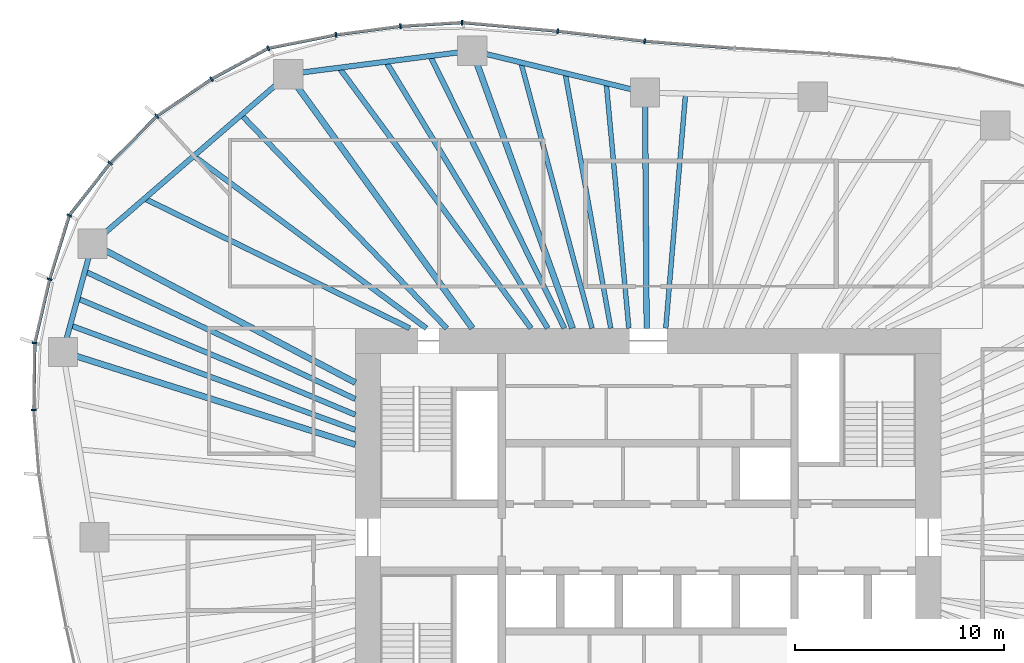
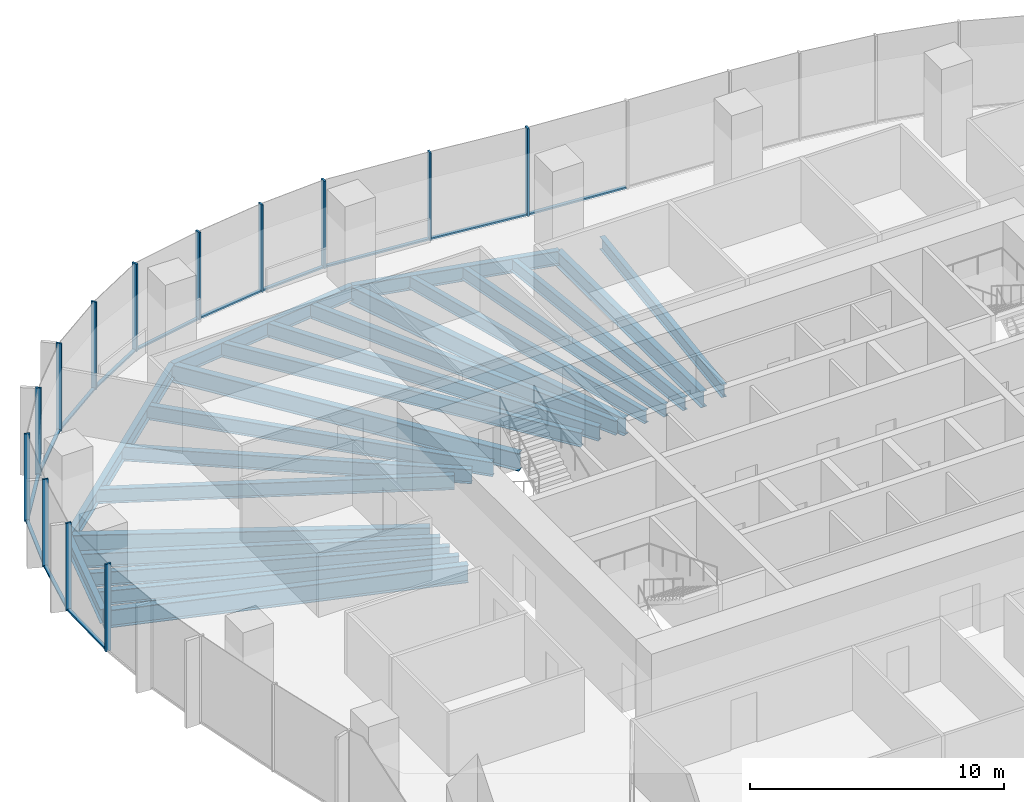
# One storey, part 5 of 18: 26 members, 22 beams, 6 elements without a shape of their own.
"""IFC4 building model written with IfcOpenShell, lengths in metres."""

import ifcopenshell
import ifcopenshell.guid

model = None  # the IFC model being written
_history = None  # IfcOwnerHistory: only IFC2X3 demands one
_inside = {}  # id of a spatial element -> (the spatial element, [elements in it])
_under = {}  # id of a project, library or spatial element -> (it, [spatial elements below it])
_declared = {}  # id of a project -> (the project, [libraries it declares])
_typed = {}  # id of a type object -> (the type object, [elements of that type])
_made_of = {}  # id of a material, layer set ... -> (it, [elements and type objects made of it])


def new_model(schema):
    """Start an empty IFC model of exactly this schema.

    Asked for "IFC4X3", IfcOpenShell would pick the latest addendum, in which some entities
    have other attributes; the version numbers below select the first issue.
    IFC2X3 requires an IfcOwnerHistory on every rooted entity: one is made here for all.
    """
    global model, _history
    if schema == "IFC4X3":
        model = ifcopenshell.file(schema_version=(4, 3, 0, 0))
    else:
        model = ifcopenshell.file(schema=schema)
    _inside.clear()
    _under.clear()
    _declared.clear()
    _typed.clear()
    _made_of.clear()
    _history = None
    if model.schema == "IFC2X3":
        org = make("IfcOrganization", Name="unknown")
        user = make(
            "IfcPersonAndOrganization",
            ThePerson=make("IfcPerson", FamilyName="unknown"),
            TheOrganization=org,
        )
        app = make(
            "IfcApplication",
            ApplicationDeveloper=org,
            Version="unknown",
            ApplicationFullName="unknown",
            ApplicationIdentifier="unknown",
        )
        _history = make(
            "IfcOwnerHistory",
            OwningUser=user,
            OwningApplication=app,
            ChangeAction="ADDED",
            CreationDate=0,
        )
    return model


def make(cls, **values):
    """One entity of the class cls with the attributes given. An attribute that is None is left unset."""
    return model.create_entity(
        cls, **{name: value for name, value in values.items() if value is not None}
    )


def rooted(cls, **values):
    """An entity with a GlobalId (a new one), such as an element, a storey or a relation."""
    return make(cls, GlobalId=ifcopenshell.guid.new(), OwnerHistory=_history, **values)


def si_unit(unit_type, name, prefix=None):
    """IfcSIUnit, for example si_unit("LENGTHUNIT", "METRE", prefix="MILLI")."""
    return make("IfcSIUnit", UnitType=unit_type, Prefix=prefix, Name=name)


def assignment(units):
    """IfcUnitAssignment: the units of a project."""
    return None if units is None else make("IfcUnitAssignment", Units=units)


def point(xyz):
    """IfcCartesianPoint."""
    return None if xyz is None else make("IfcCartesianPoint", Coordinates=xyz)


def direction(xyz):
    """IfcDirection."""
    return None if xyz is None else make("IfcDirection", DirectionRatios=xyz)


def frame(location, z_axis=None, x_axis=None):
    """IfcAxis2Placement3D, a coordinate frame: its origin and axes. An axis left out is left unset."""
    return make(
        "IfcAxis2Placement3D",
        Location=point(location),
        Axis=direction(z_axis),
        RefDirection=direction(x_axis),
    )


def frame_2d(location, x_axis=None):
    """IfcAxis2Placement2D, a coordinate frame in the plane: its origin and x axis."""
    return make(
        "IfcAxis2Placement2D", Location=point(location), RefDirection=direction(x_axis)
    )


def origin():
    """The frame at (0, 0, 0) with its axes left unset."""
    return frame((0.0, 0.0, 0.0))


def origin_2d():
    """The frame at (0, 0) in the plane with its x axis left unset."""
    return frame_2d((0.0, 0.0))


def place(relative_to, where):
    """IfcLocalPlacement: puts the frame where relative to a parent placement (None: the world)."""
    return make(
        "IfcLocalPlacement", PlacementRelTo=relative_to, RelativePlacement=where
    )


def context(
    kind, dimensions, precision=None, world=None, true_north=None, identifier=None
):
    """IfcGeometricRepresentationContext, for example the 3D "Model" context."""
    return make(
        "IfcGeometricRepresentationContext",
        ContextIdentifier=identifier,
        ContextType=kind,
        CoordinateSpaceDimension=dimensions,
        Precision=precision,
        WorldCoordinateSystem=world,
        TrueNorth=true_north,
    )


def subcontext(parent, identifier, kind, view, scale=None):
    """IfcGeometricRepresentationSubContext, for example "Body" below "Model"."""
    return make(
        "IfcGeometricRepresentationSubContext",
        ContextIdentifier=identifier,
        ContextType=kind,
        ParentContext=parent,
        TargetScale=scale,
        TargetView=view,
    )


def project(units=None, contexts=None):
    """IfcProject with its units and contexts."""
    return rooted(
        "IfcProject",
        Name="project",
        RepresentationContexts=contexts,
        UnitsInContext=assignment(units),
    )


def spatial(cls, under=None, at=None, **own):
    """A site, building, storey or space (cls), placed at a placement, below another one or the project."""
    s = rooted(cls, ObjectPlacement=at, **own)
    if under is not None:
        _under.setdefault(under.id(), (under, []))[1].append(s)
    return s


def profile(cls, at=None, kind="AREA", **sizes):
    """A parametric profile (cls). Its sizes go by their IFC names, for example OverallWidth=200.0."""
    return make(cls, ProfileType=kind, Position=at, **sizes)


def rectangle(**sizes):
    """IfcRectangleProfileDef."""
    return profile("IfcRectangleProfileDef", **sizes)


def i_section(**sizes):
    """IfcIShapeProfileDef."""
    return profile("IfcIShapeProfileDef", **sizes)


def extrude(swept, where, along, depth):
    """IfcExtrudedAreaSolid: the profile swept, set in the frame where, extruded along a direction by depth."""
    return make(
        "IfcExtrudedAreaSolid",
        SweptArea=swept,
        Position=where,
        ExtrudedDirection=direction(along),
        Depth=depth,
    )


def shape(context_of_items, identifier, shape_type, items):
    """IfcShapeRepresentation: the items that make up one representation, for example the "Body"."""
    return make(
        "IfcShapeRepresentation",
        ContextOfItems=context_of_items,
        RepresentationIdentifier=identifier,
        RepresentationType=shape_type,
        Items=items,
    )


def material(Name=None, Category=None):
    """IfcMaterial."""
    return make("IfcMaterial", Name=Name, Category=Category)


def material_profile(
    of_material, cross_section, Name=None, Category=None, Priority=None
):
    """IfcMaterialProfile: a cross section and its material."""
    return make(
        "IfcMaterialProfile",
        Name=Name,
        Material=of_material,
        Profile=cross_section,
        Priority=Priority,
        Category=Category,
    )


def profile_set(profiles, Name=None, composite=None):
    """IfcMaterialProfileSet."""
    return make(
        "IfcMaterialProfileSet",
        Name=Name,
        MaterialProfiles=profiles,
        CompositeProfile=composite,
    )


def made_of(thing, what):
    """Note that an element or type object is made of a material, layer set ...; save() writes the relation."""
    if what is not None:
        _made_of.setdefault(what.id(), (what, []))[1].append(thing)
    return thing


def type_object(cls, material=None, **own):
    """A type object (cls), such as IfcWallType, which elements share."""
    return made_of(rooted(cls, **own), material)


def element(
    cls,
    number,
    at=None,
    inside=None,
    cuts=None,
    type_object=None,
    material=None,
    context=None,
    identifier="Body",
    shape_type=None,
    held_by="IfcProductDefinitionShape",
    body=None,
    shapes=None,
    **own,
):
    """One element of the class cls, such as IfcWall. Its Tag is "e" and its number.

    at: its placement. inside: the storey or other place that contains it. cuts: it is an
    opening in that element (IfcRelVoidsElement). A single representation is given by context,
    identifier, shape_type and body (its items); several are given by shapes. held_by: the class
    of the entity that holds the representations. save() writes the other relations.
    """
    e = rooted(cls, Tag="e%d" % number, ObjectPlacement=at, **own)
    if body is not None:
        shapes = [shape(context, identifier, shape_type, body)]
    if shapes is not None:
        e.Representation = make(held_by, Representations=shapes)
    if inside is not None:
        _inside.setdefault(inside.id(), (inside, []))[1].append(e)
    if cuts is not None:
        rooted(
            "IfcRelVoidsElement", RelatingBuildingElement=cuts, RelatedOpeningElement=e
        )
    if type_object is not None:
        _typed.setdefault(type_object.id(), (type_object, []))[1].append(e)
    return made_of(e, material)


def aggregate(whole, parts):
    """IfcRelAggregates: a whole, such as a stair, and the parts it consists of."""
    return rooted("IfcRelAggregates", RelatingObject=whole, RelatedObjects=parts)


def save(model, path):
    """Write the relations noted so far, then the file.

    IfcRelAggregates (storeys below a building ...), IfcRelContainedInSpatialStructure (elements
    in a storey), IfcRelDefinesByType, IfcRelAssociatesMaterial and IfcRelDeclares: one each for
    every whole, place, type object, material and project.
    """
    for whole, parts in _under.values():
        aggregate(whole, parts)
    for where, things in _inside.values():
        rooted(
            "IfcRelContainedInSpatialStructure",
            RelatedElements=things,
            RelatingStructure=where,
        )
    for kind, things in _typed.values():
        rooted("IfcRelDefinesByType", RelatedObjects=things, RelatingType=kind)
    for what, things in _made_of.values():
        rooted("IfcRelAssociatesMaterial", RelatedObjects=things, RelatingMaterial=what)
    for by, libraries in _declared.values():
        rooted("IfcRelDeclares", RelatingContext=by, RelatedDefinitions=libraries)
    model.write(path)


model = new_model("IFC4")

# Units and contexts
model_context = context("Model", 3, precision=1e-05, world=origin(), true_north=direction((0.0, 1.0)))
body_context = subcontext(model_context, "Body", "Model", "MODEL_VIEW")
ifc_project = project(units=[si_unit("LENGTHUNIT", "METRE"), si_unit("AREAUNIT", "SQUARE_METRE"), si_unit("VOLUMEUNIT", "CUBIC_METRE"), si_unit("PLANEANGLEUNIT", "RADIAN"), si_unit("MASSUNIT", "GRAM", prefix="KILO")], contexts=[model_context])

# Site, building, storey
site_placement = place(None, origin())
site = spatial("IfcSite", under=ifc_project, at=site_placement, CompositionType="ELEMENT")
building_placement = place(site_placement, origin())
building = spatial("IfcBuilding", under=site, at=building_placement, Name="Ghaith Harvest Tower", CompositionType="ELEMENT")
storey_placement = place(building_placement, frame((0.0, 0.0, 163.800048828125)))
storey = spatial("IfcBuildingStorey", under=building, at=storey_placement, Name="L35", CompositionType="ELEMENT", Elevation=163.800048828125)

# Curtain wall, members
ifc_material_1 = material(Name="Black anodised aluminium and fritted glass", Category="aluminium")
curtain_wall_type = type_object("IfcCurtainWallType", Name="CW-L CURTAIN WALL", PredefinedType="NOTDEFINED", material=ifc_material_1)
curtain_wall_1_placement = place(storey_placement, origin())
curtain_wall_1 = element("IfcCurtainWall", 1, at=curtain_wall_1_placement, inside=storey, type_object=curtain_wall_type, Name="Curtain wall CW-L bay 06 L35", PredefinedType="NOTDEFINED")
ifc_material_2 = material(Name="Aluminium, black anodised", Category="aluminium")
ifc_material_profile_1 = material_profile(ifc_material_2, rectangle(XDim=0.080078125, YDim=0.239990234375, at=origin_2d()), Name="CW-L MULLION 80x240")
ifc_profile_set_1 = profile_set([ifc_material_profile_1], Name="Aluminium, black anodised")
member_type_1 = type_object("IfcMemberType", Name="CW-L MULLION 80x240", PredefinedType="MULLION", material=ifc_profile_set_1)
member_1_placement = place(storey_placement, frame((-0.162353515625, 23.729736328125, 0.0), z_axis=(0.0, 0.0, 1.0), x_axis=(-0.995388088953, 0.095929934691, 0.0)))
member_1 = element("IfcMember", 2, at=member_1_placement, type_object=member_type_1, Name="CW-L mullion 1 bay 06 L35", PredefinedType="MULLION", context=body_context, shape_type="SweptSolid", body=[
    extrude(rectangle(XDim=0.080078125, YDim=0.239990234375, at=origin_2d()), origin(), (0.0, 0.0, 1.0), 4.199951171875),
])
member_2_placement = place(storey_placement, frame((-4.322998046875, 24.207275390625, 0.0), z_axis=(0.0, 0.0, 1.0), x_axis=(-0.994830371571, 0.101550636625, 0.0)))
member_2 = element("IfcMember", 3, at=member_2_placement, type_object=member_type_1, Name="CW-L mullion 2 bay 06 L35", PredefinedType="MULLION", context=body_context, shape_type="SweptSolid", body=[
    extrude(rectangle(XDim=0.080078125, YDim=0.239990234375, at=origin_2d()), origin(), (0.0, 0.0, 1.0), 4.199951171875),
])

curtain_wall_2_placement = place(storey_placement, origin())
curtain_wall_2 = element("IfcCurtainWall", 4, at=curtain_wall_2_placement, inside=storey, type_object=curtain_wall_type, Name="Curtain wall CW-L bay 07 L35", PredefinedType="NOTDEFINED")
member_3_placement = place(storey_placement, frame((-8.892578125, 24.620849609375, 0.0), z_axis=(0.0, 0.0, 1.0), x_axis=(-0.999522209385, 0.030908784286, 0.0)))
member_3 = element("IfcMember", 5, at=member_3_placement, type_object=member_type_1, Name="CW-L mullion 1 bay 07 L35", PredefinedType="MULLION", context=body_context, shape_type="SweptSolid", body=[
    extrude(rectangle(XDim=0.080078125, YDim=0.239990234375, at=origin_2d()), origin(), (0.0, 0.0, 1.0), 4.199951171875),
])
member_4_placement = place(storey_placement, frame((-11.841064453125, 24.439697265625, 0.0), z_axis=(0.0, 0.0, 1.0), x_axis=(-0.995237520168, -0.097479630949, 0.0)))
member_4 = element("IfcMember", 6, at=member_4_placement, type_object=member_type_1, Name="CW-L mullion 2 bay 07 L35", PredefinedType="MULLION", context=body_context, shape_type="SweptSolid", body=[
    extrude(rectangle(XDim=0.080078125, YDim=0.239990234375, at=origin_2d()), origin(), (0.0, 0.0, 1.0), 4.199951171875),
])
member_5_placement = place(storey_placement, frame((-14.923828125, 24.030029296875, 0.0), z_axis=(0.0, 0.0, 1.0), x_axis=(-0.986494514812, -0.163794298578, 0.0)))
member_5 = element("IfcMember", 7, at=member_5_placement, type_object=member_type_1, Name="CW-L mullion 3 bay 07 L35", PredefinedType="MULLION", context=body_context, shape_type="SweptSolid", body=[
    extrude(rectangle(XDim=0.080078125, YDim=0.239990234375, at=origin_2d()), origin(), (0.0, 0.0, 1.0), 4.199951171875),
])

curtain_wall_3_placement = place(storey_placement, origin())
curtain_wall_3 = element("IfcCurtainWall", 8, at=curtain_wall_3_placement, inside=storey, type_object=curtain_wall_type, Name="Curtain wall CW-L bay 08 L35", PredefinedType="NOTDEFINED")
member_6_placement = place(storey_placement, frame((-18.165283203125, 23.3896484375, 0.0), z_axis=(0.0, 0.0, 1.0), x_axis=(-0.942103541202, -0.335322110298, 0.0)))
member_6 = element("IfcMember", 9, at=member_6_placement, type_object=member_type_1, Name="CW-L mullion 1 bay 08 L35", PredefinedType="MULLION", context=body_context, shape_type="SweptSolid", body=[
    extrude(rectangle(XDim=0.080078125, YDim=0.239990234375, at=origin_2d()), origin(), (0.0, 0.0, 1.0), 4.199951171875),
])
member_7_placement = place(storey_placement, frame((-20.87548828125, 21.91162109375, 0.0), z_axis=(0.0, 0.0, 1.0), x_axis=(-0.853515864435, -0.521066856707, 0.0)))
member_7 = element("IfcMember", 10, at=member_7_placement, type_object=member_type_1, Name="CW-L mullion 2 bay 08 L35", PredefinedType="MULLION", context=body_context, shape_type="SweptSolid", body=[
    extrude(rectangle(XDim=0.080078125, YDim=0.239990234375, at=origin_2d()), origin(), (0.0, 0.0, 1.0), 4.199951171875),
])
member_8_placement = place(storey_placement, frame((-23.489501953125, 20.13916015625, 0.0), z_axis=(0.0, 0.0, 1.0), x_axis=(-0.769682554376, -0.638426789451, 0.0)))
member_8 = element("IfcMember", 11, at=member_8_placement, type_object=member_type_1, Name="CW-L mullion 3 bay 08 L35", PredefinedType="MULLION", context=body_context, shape_type="SweptSolid", body=[
    extrude(rectangle(XDim=0.080078125, YDim=0.239990234375, at=origin_2d()), origin(), (0.0, 0.0, 1.0), 4.199951171875),
])

curtain_wall_4_placement = place(storey_placement, origin())
curtain_wall_4 = element("IfcCurtainWall", 12, at=curtain_wall_4_placement, inside=storey, type_object=curtain_wall_type, Name="Curtain wall CW-L bay 09 L35", PredefinedType="NOTDEFINED")
member_9_placement = place(storey_placement, frame((-25.718017578125, 17.894775390625, 0.0), z_axis=(0.0, 0.0, 1.0), x_axis=(-0.661903840688, -0.749588757708, 0.0)))
member_9 = element("IfcMember", 13, at=member_9_placement, type_object=member_type_1, Name="CW-L mullion 1 bay 09 L35", PredefinedType="MULLION", context=body_context, shape_type="SweptSolid", body=[
    extrude(rectangle(XDim=0.080078125, YDim=0.239990234375, at=origin_2d()), origin(), (0.0, 0.0, 1.0), 4.199951171875),
])
member_10_placement = place(storey_placement, frame((-27.67919921875, 15.39453125, 0.0), z_axis=(0.0, 0.0, 1.0), x_axis=(-0.462889784298, -0.886415843491, 0.0)))
member_10 = element("IfcMember", 14, at=member_10_placement, type_object=member_type_1, Name="CW-L mullion 2 bay 09 L35", PredefinedType="MULLION", context=body_context, shape_type="SweptSolid", body=[
    extrude(rectangle(XDim=0.080078125, YDim=0.239990234375, at=origin_2d()), origin(), (0.0, 0.0, 1.0), 4.199951171875),
])
member_11_placement = place(storey_placement, frame((-28.61669921875, 12.343994140625, 0.0), z_axis=(0.0, 0.0, 1.0), x_axis=(-0.260727312416, -0.965412486226, 0.0)))
member_11 = element("IfcMember", 15, at=member_11_placement, type_object=member_type_1, Name="CW-L mullion 3 bay 09 L35", PredefinedType="MULLION", context=body_context, shape_type="SweptSolid", body=[
    extrude(rectangle(XDim=0.080078125, YDim=0.239990234375, at=origin_2d()), origin(), (0.0, 0.0, 1.0), 4.199951171875),
])

curtain_wall_5_placement = place(storey_placement, origin())
curtain_wall_5 = element("IfcCurtainWall", 16, at=curtain_wall_5_placement, inside=storey, type_object=curtain_wall_type, Name="Curtain wall CW-L bay 10 L35", PredefinedType="NOTDEFINED")
member_12_placement = place(storey_placement, frame((-29.32666015625, 9.294189453125, 0.0), z_axis=(0.0, 0.0, 1.0), x_axis=(-0.120932140225, -0.99266077663, 0.0)))
member_12 = element("IfcMember", 17, at=member_12_placement, type_object=member_type_1, Name="CW-L mullion 1 bay 10 L35", PredefinedType="MULLION", context=body_context, shape_type="SweptSolid", body=[
    extrude(rectangle(XDim=0.080078125, YDim=0.239990234375, at=origin_2d()), origin(), (0.0, 0.0, 1.0), 4.199951171875),
])
member_13_placement = place(storey_placement, frame((-29.3779296875, 6.09619140625, 0.0), z_axis=(0.0, 0.0, 1.0), x_axis=(0.031027769448, -0.999518522851, 0.0)))
member_13 = element("IfcMember", 18, at=member_13_placement, type_object=member_type_1, Name="CW-L mullion 2 bay 10 L35", PredefinedType="MULLION", context=body_context, shape_type="SweptSolid", body=[
    extrude(rectangle(XDim=0.080078125, YDim=0.239990234375, at=origin_2d()), origin(), (0.0, 0.0, 1.0), 4.199951171875),
])

# Curtain wall, member
curtain_wall_6_placement = place(storey_placement, origin())
curtain_wall_6 = element("IfcCurtainWall", 19, at=curtain_wall_6_placement, inside=storey, type_object=curtain_wall_type, Name="Curtain wall CW-L bay 05 L35", PredefinedType="NOTDEFINED")
ifc_material_3 = material(Name="Aluminium, black anodised", Category="aluminium")
ifc_material_profile_2 = material_profile(ifc_material_3, rectangle(XDim=0.14990234375, YDim=0.080078125, at=origin_2d()), Name="CW-L TRANSOM 150x80")
ifc_profile_set_2 = profile_set([ifc_material_profile_2], Name="Aluminium, black anodised")
member_type_2 = type_object("IfcMemberType", Name="CW-L TRANSOM 150x80", PredefinedType="USERDEFINED", material=ifc_profile_set_2)
member_14_placement = place(storey_placement, frame((4.106689453125, 23.39404296875, 0.0400390625), z_axis=(-0.996923406046, 0.078381901463, 0.0), x_axis=(-0.078381901463, -0.996923406046, 0.0)))
member_14 = element("IfcMember", 20, at=member_14_placement, type_object=member_type_2, Name="CW-L transom 2 bay 05 L35", ObjectType="TRANSOM", PredefinedType="USERDEFINED", context=body_context, shape_type="SweptSolid", body=[
    extrude(rectangle(XDim=0.14990234375, YDim=0.080078125, at=origin_2d()), origin(), (0.0, 0.0, 1.0), 4.2421875),
])
aggregate(curtain_wall_6, [member_14])

# Member
member_15_placement = place(storey_placement, frame((-0.2021484375, 23.734130859375, 0.0400390625), z_axis=(-0.993474883942, 0.114051106861, 0.0), x_axis=(-0.114051106861, -0.993474883942, 0.0)))
member_15 = element("IfcMember", 21, at=member_15_placement, type_object=member_type_2, Name="CW-L transom 1 bay 06 L35", ObjectType="TRANSOM", PredefinedType="USERDEFINED", context=body_context, shape_type="SweptSolid", body=[
    extrude(rectangle(XDim=0.14990234375, YDim=0.080078125, at=origin_2d()), origin(), (0.0, 0.0, 1.0), 4.10791015625),
])

member_16_placement = place(storey_placement, frame((-4.36279296875, 24.210693359375, 0.0400390625), z_axis=(-0.995926431676, 0.090169521954, 0.0), x_axis=(-0.090169521954, -0.995926431676, 0.0)))
member_16 = element("IfcMember", 22, at=member_16_placement, type_object=member_type_2, Name="CW-L transom 2 bay 06 L35", ObjectType="TRANSOM", PredefinedType="USERDEFINED", context=body_context, shape_type="SweptSolid", body=[
    extrude(rectangle(XDim=0.14990234375, YDim=0.080078125, at=origin_2d()), origin(), (0.0, 0.0, 1.0), 4.508056640625),
])

aggregate(curtain_wall_1, [member_1, member_15, member_2, member_16])

member_17_placement = place(storey_placement, frame((-8.932373046875, 24.618408203125, 0.0400390625), z_axis=(-0.998117793577, -0.061325933705, 0.0), x_axis=(0.061325933705, -0.998117793577, 0.0)))
member_17 = element("IfcMember", 23, at=member_17_placement, type_object=member_type_2, Name="CW-L transom 1 bay 07 L35", ObjectType="TRANSOM", PredefinedType="USERDEFINED", context=body_context, shape_type="SweptSolid", body=[
    extrude(rectangle(XDim=0.14990234375, YDim=0.080078125, at=origin_2d()), origin(), (0.0, 0.0, 1.0), 2.874267578125),
])

member_18_placement = place(storey_placement, frame((-11.880859375, 24.434326171875, 0.0400390625), z_axis=(-0.991293929443, -0.131667556553, 0.0), x_axis=(0.131667556553, -0.991293929443, 0.0)))
member_18 = element("IfcMember", 24, at=member_18_placement, type_object=member_type_2, Name="CW-L transom 2 bay 07 L35", ObjectType="TRANSOM", PredefinedType="USERDEFINED", context=body_context, shape_type="SweptSolid", body=[
    extrude(rectangle(XDim=0.14990234375, YDim=0.080078125, at=origin_2d()), origin(), (0.0, 0.0, 1.0), 3.02978515625),
])

member_19_placement = place(storey_placement, frame((-14.963134765625, 24.022216796875, 0.0400390625), z_axis=(-0.98104391994, -0.19378551842, 0.0), x_axis=(0.19378551842, -0.98104391994, 0.0)))
member_19 = element("IfcMember", 25, at=member_19_placement, type_object=member_type_2, Name="CW-L transom 3 bay 07 L35", ObjectType="TRANSOM", PredefinedType="USERDEFINED", context=body_context, shape_type="SweptSolid", body=[
    extrude(rectangle(XDim=0.14990234375, YDim=0.080078125, at=origin_2d()), origin(), (0.0, 0.0, 1.0), 3.223876953125),
])

aggregate(curtain_wall_2, [member_3, member_17, member_4, member_18, member_5, member_19])

member_20_placement = place(storey_placement, frame((-18.200439453125, 23.37060546875, 0.0400390625), z_axis=(-0.877929702377, -0.478789554695, 0.0), x_axis=(0.478789554695, -0.877929702377, 0.0)))
member_20 = element("IfcMember", 26, at=member_20_placement, type_object=member_type_2, Name="CW-L transom 1 bay 08 L35", ObjectType="TRANSOM", PredefinedType="USERDEFINED", context=body_context, shape_type="SweptSolid", body=[
    extrude(rectangle(XDim=0.14990234375, YDim=0.080078125, at=origin_2d()), origin(), (0.0, 0.0, 1.0), 3.0068359375),
])

member_21_placement = place(storey_placement, frame((-20.908447265625, 21.88916015625, 0.0400390625), z_axis=(-0.827681025079, -0.561198824593, 0.0), x_axis=(0.561198824593, -0.827681025079, 0.0)))
member_21 = element("IfcMember", 27, at=member_21_placement, type_object=member_type_2, Name="CW-L transom 2 bay 08 L35", ObjectType="TRANSOM", PredefinedType="USERDEFINED", context=body_context, shape_type="SweptSolid", body=[
    extrude(rectangle(XDim=0.14990234375, YDim=0.080078125, at=origin_2d()), origin(), (0.0, 0.0, 1.0), 3.078369140625),
])

member_22_placement = place(storey_placement, frame((-23.517578125, 20.11083984375, 0.0400390625), z_axis=(-0.704647577514, -0.709557461735, 0.0), x_axis=(0.709557461735, -0.704647577514, 0.0)))
member_22 = element("IfcMember", 28, at=member_22_placement, type_object=member_type_2, Name="CW-L transom 3 bay 08 L35", ObjectType="TRANSOM", PredefinedType="USERDEFINED", context=body_context, shape_type="SweptSolid", body=[
    extrude(rectangle(XDim=0.14990234375, YDim=0.080078125, at=origin_2d()), origin(), (0.0, 0.0, 1.0), 3.0830078125),
])

aggregate(curtain_wall_3, [member_6, member_20, member_7, member_21, member_8, member_22])

member_23_placement = place(storey_placement, frame((-25.74267578125, 17.86328125, 0.0400390625), z_axis=(-0.617198298797, -0.786807638474, 0.0), x_axis=(0.786807638474, -0.617198298797, 0.0)))
member_23 = element("IfcMember", 29, at=member_23_placement, type_object=member_type_2, Name="CW-L transom 1 bay 09 L35", ObjectType="TRANSOM", PredefinedType="USERDEFINED", context=body_context, shape_type="SweptSolid", body=[
    extrude(rectangle(XDim=0.14990234375, YDim=0.080078125, at=origin_2d()), origin(), (0.0, 0.0, 1.0), 3.09765625),
])

member_24_placement = place(storey_placement, frame((-27.69091796875, 15.356201171875, 0.0400390625), z_axis=(-0.293777058804, -0.955873966441, 0.0), x_axis=(0.955873966441, -0.293777058804, 0.0)))
member_24 = element("IfcMember", 30, at=member_24_placement, type_object=member_type_2, Name="CW-L transom 2 bay 09 L35", ObjectType="TRANSOM", PredefinedType="USERDEFINED", context=body_context, shape_type="SweptSolid", body=[
    extrude(rectangle(XDim=0.14990234375, YDim=0.080078125, at=origin_2d()), origin(), (0.0, 0.0, 1.0), 3.111328125),
])

member_25_placement = place(storey_placement, frame((-28.6259765625, 12.304931640625, 0.0400390625), z_axis=(-0.226670598607, -0.973971477882, 0.0), x_axis=(0.973971477882, -0.226670598607, 0.0)))
member_25 = element("IfcMember", 31, at=member_25_placement, type_object=member_type_2, Name="CW-L transom 3 bay 09 L35", ObjectType="TRANSOM", PredefinedType="USERDEFINED", context=body_context, shape_type="SweptSolid", body=[
    extrude(rectangle(XDim=0.14990234375, YDim=0.080078125, at=origin_2d()), origin(), (0.0, 0.0, 1.0), 3.05126953125),
])

aggregate(curtain_wall_4, [member_9, member_23, member_10, member_24, member_11, member_25])

member_26_placement = place(storey_placement, frame((-29.327392578125, 9.254150390625, 0.0400390625), z_axis=(-0.015971652868, -0.999872445017, 0.0), x_axis=(0.999872445017, -0.015971652868, 0.0)))
member_26 = element("IfcMember", 32, at=member_26_placement, type_object=member_type_2, Name="CW-L transom 1 bay 10 L35", ObjectType="TRANSOM", PredefinedType="USERDEFINED", context=body_context, shape_type="SweptSolid", body=[
    extrude(rectangle(XDim=0.14990234375, YDim=0.080078125, at=origin_2d()), origin(), (0.0, 0.0, 1.0), 3.118408203125),
])

aggregate(curtain_wall_5, [member_12, member_26, member_13])

# Beams
ifc_material_4 = material(Name="Steel ASTM A992 Grade 50", Category="steel")
ifc_material_profile_3 = material_profile(ifc_material_4, i_section(OverallWidth=0.25390625, OverallDepth=0.68408203125, WebThickness=0.012451171875, FlangeThickness=0.018798828125, at=origin_2d()), Name="W690X140")
ifc_profile_set_3 = profile_set([ifc_material_profile_3], Name="Steel ASTM A992 Grade 50")
beam_type_1 = type_object("IfcBeamType", Name="E690-140 W690X140", PredefinedType="SPANDREL", material=ifc_profile_set_3)
beam_1_placement = place(storey_placement, frame((-0.14599609375, 21.27099609375, -0.511962890625), z_axis=(-0.971790293477, 0.235846614358, 0.0), x_axis=(-0.235846614358, -0.971790293477, 0.0)))
element("IfcBeam", 33, at=beam_1_placement, inside=storey, type_object=beam_type_1, Name="Edge beam E06 L35", PredefinedType="SPANDREL", context=body_context, shape_type="SweptSolid", body=[
    extrude(i_section(OverallWidth=0.25390625, OverallDepth=0.68408203125, WebThickness=0.012451171875, FlangeThickness=0.018798828125, at=origin_2d()), origin(), (0.0, 0.0, 1.0), 8.500732421875),
])
beam_2_placement = place(storey_placement, frame((-8.406982421875, 23.27587890625, -0.511962890625), z_axis=(-0.991904090065, -0.126989275577, 0.0), x_axis=(0.126989275577, -0.991904090065, 0.0)))
element("IfcBeam", 34, at=beam_2_placement, inside=storey, type_object=beam_type_1, Name="Edge beam E07 L35", PredefinedType="SPANDREL", context=body_context, shape_type="SweptSolid", body=[
    extrude(i_section(OverallWidth=0.25390625, OverallDepth=0.68408203125, WebThickness=0.012451171875, FlangeThickness=0.018798828125, at=origin_2d()), origin(), (0.0, 0.0, 1.0), 8.86669921875),
])
beam_3_placement = place(storey_placement, frame((-17.201904296875, 22.14990234375, -0.511962890625), z_axis=(-0.756392158274, -0.654118416574, 0.0), x_axis=(0.654118416574, -0.756392158274, 0.0)))
element("IfcBeam", 35, at=beam_3_placement, inside=storey, type_object=beam_type_1, Name="Edge beam E08 L35", PredefinedType="SPANDREL", context=body_context, shape_type="SweptSolid", body=[
    extrude(i_section(OverallWidth=0.25390625, OverallDepth=0.68408203125, WebThickness=0.012451171875, FlangeThickness=0.018798828125, at=origin_2d()), origin(), (0.0, 0.0, 1.0), 12.38916015625),
])
beam_4_placement = place(storey_placement, frame((-26.572998046875, 14.0458984375, -0.511962890625), z_axis=(-0.262724740433, -0.964870825947, 0.0), x_axis=(0.964870825947, -0.262724740433, 0.0)))
element("IfcBeam", 36, at=beam_4_placement, inside=storey, type_object=beam_type_1, Name="Edge beam E09 L35", PredefinedType="SPANDREL", context=body_context, shape_type="SweptSolid", body=[
    extrude(i_section(OverallWidth=0.25390625, OverallDepth=0.68408203125, WebThickness=0.012451171875, FlangeThickness=0.018798828125, at=origin_2d()), origin(), (0.0, 0.0, 1.0), 5.366455078125),
])
ifc_material_5 = material(Name="Steel ASTM A992 Grade 50", Category="steel")
ifc_material_profile_4 = material_profile(ifc_material_5, i_section(OverallWidth=0.26806640625, OverallDepth=0.77001953125, WebThickness=0.015625, FlangeThickness=0.025390625, at=origin_2d()), Name="W760X196")
ifc_profile_set_4 = profile_set([ifc_material_profile_4], Name="Steel ASTM A992 Grade 50")
beam_type_2 = type_object("IfcBeamType", Name="G760-196 W760X196", PredefinedType="BEAM", material=ifc_profile_set_4)
beam_5_placement = place(storey_placement, frame((-0.068359375, 10.0, -0.554931640625), z_axis=(-0.006888022705, 0.99997627729, 0.0), x_axis=(-0.99997627729, -0.006888022705, 0.0)))
element("IfcBeam", 37, at=beam_5_placement, inside=storey, type_object=beam_type_2, Name="Radial girder G06 L35", PredefinedType="BEAM", context=body_context, shape_type="SweptSolid", body=[
    extrude(i_section(OverallWidth=0.26806640625, OverallDepth=0.77001953125, WebThickness=0.015625, FlangeThickness=0.025390625, at=origin_2d()), origin(), (0.0, 0.0, 1.0), 11.271240234375),
])
ifc_material_6 = material(Name="Steel ASTM A992 Grade 50", Category="steel")
ifc_material_profile_5 = material_profile(ifc_material_6, i_section(OverallWidth=0.2939453125, OverallDepth=0.85107421875, WebThickness=0.01611328125, FlangeThickness=0.02685546875, at=origin_2d()), Name="W840X226")
ifc_profile_set_5 = profile_set([ifc_material_profile_5], Name="Steel ASTM A992 Grade 50")
beam_type_3 = type_object("IfcBeamType", Name="G840-226 W840X226", PredefinedType="BEAM", material=ifc_profile_set_5)
beam_6_placement = place(storey_placement, frame((-3.61181640625, 10.0, -0.595458984375), z_axis=(-0.339713316819, 0.940529033245, 0.0), x_axis=(-0.940529033245, -0.339713316819, 0.0)))
element("IfcBeam", 38, at=beam_6_placement, inside=storey, type_object=beam_type_3, Name="Radial girder G07 L35", PredefinedType="BEAM", context=body_context, shape_type="SweptSolid", body=[
    extrude(i_section(OverallWidth=0.2939453125, OverallDepth=0.85107421875, WebThickness=0.01611328125, FlangeThickness=0.02685546875, at=origin_2d()), origin(), (0.0, 0.0, 1.0), 14.115234375),
])
beam_7_placement = place(storey_placement, frame((-8.39990234375, 10.0, -0.595458984375), z_axis=(-0.586675813287, 0.809821887889, 0.0), x_axis=(-0.809821887889, -0.586675813287, 0.0)))
element("IfcBeam", 39, at=beam_7_placement, inside=storey, type_object=beam_type_3, Name="Radial girder G08 L35", PredefinedType="BEAM", context=body_context, shape_type="SweptSolid", body=[
    extrude(i_section(OverallWidth=0.2939453125, OverallDepth=0.85107421875, WebThickness=0.01611328125, FlangeThickness=0.02685546875, at=origin_2d()), origin(), (0.0, 0.0, 1.0), 15.003173828125),
])
beam_8_placement = place(storey_placement, frame((-14.0, 7.39990234375, -0.595458984375), z_axis=(-0.88408713845, 0.467322085533, 0.0), x_axis=(-0.467322085533, -0.88408713845, 0.0)))
element("IfcBeam", 40, at=beam_8_placement, inside=storey, type_object=beam_type_3, Name="Radial girder G09 L35", PredefinedType="BEAM", context=body_context, shape_type="SweptSolid", body=[
    extrude(i_section(OverallWidth=0.2939453125, OverallDepth=0.85107421875, WebThickness=0.01611328125, FlangeThickness=0.02685546875, at=origin_2d()), origin(), (0.0, 0.0, 1.0), 14.221435546875),
])
beam_9_placement = place(storey_placement, frame((-14.0, 4.43701171875, -0.595458984375), z_axis=(-0.953283605796, 0.302076756671, 0.0), x_axis=(-0.302076756671, -0.953283605796, 0.0)))
element("IfcBeam", 41, at=beam_9_placement, inside=storey, type_object=beam_type_3, Name="Radial girder G10 L35", PredefinedType="BEAM", context=body_context, shape_type="SweptSolid", body=[
    extrude(i_section(OverallWidth=0.2939453125, OverallDepth=0.85107421875, WebThickness=0.01611328125, FlangeThickness=0.02685546875, at=origin_2d()), origin(), (0.0, 0.0, 1.0), 14.668212890625),
])
ifc_material_7 = material(Name="Steel ASTM A992 Grade 50", Category="steel")
ifc_material_profile_6 = material_profile(ifc_material_7, i_section(OverallWidth=0.22900390625, OverallDepth=0.612060546875, WebThickness=0.011962890625, FlangeThickness=0.01953125, at=origin_2d()), Name="W610X125")
ifc_profile_set_6 = profile_set([ifc_material_profile_6], Name="Steel ASTM A992 Grade 50")
beam_type_4 = type_object("IfcBeamType", Name="J610-125 W610X125", PredefinedType="JOIST", material=ifc_profile_set_6)
beam_10_placement = place(storey_placement, frame((0.844970703125, 10.0, -0.47607421875), z_axis=(0.084213263804, 0.996447753873, 0.0), x_axis=(-0.996447753873, 0.084213263804, 0.0)))
element("IfcBeam", 42, at=beam_10_placement, inside=storey, type_object=beam_type_4, Name="Joist J05.3 L35", PredefinedType="JOIST", context=body_context, shape_type="SweptSolid", body=[
    extrude(i_section(OverallWidth=0.22900390625, OverallDepth=0.612060546875, WebThickness=0.011962890625, FlangeThickness=0.01953125, at=origin_2d()), origin(), (0.0, 0.0, 1.0), 11.262939453125),
])
beam_11_placement = place(storey_placement, frame((-0.92041015625, 10.0, -0.47607421875), z_axis=(-0.091659676302, 0.995790391468, 0.0), x_axis=(-0.995790391468, -0.091659676302, 0.0)))
element("IfcBeam", 43, at=beam_11_placement, inside=storey, type_object=beam_type_4, Name="Joist J06.1 L35", PredefinedType="JOIST", context=body_context, shape_type="SweptSolid", body=[
    extrude(i_section(OverallWidth=0.22900390625, OverallDepth=0.612060546875, WebThickness=0.011962890625, FlangeThickness=0.01953125, at=origin_2d()), origin(), (0.0, 0.0, 1.0), 11.770263671875),
])
beam_12_placement = place(storey_placement, frame((-1.785888671875, 10.0, -0.47607421875), z_axis=(-0.175794730188, 0.984426844838, 0.0), x_axis=(-0.984426844838, -0.175794730188, 0.0)))
element("IfcBeam", 44, at=beam_12_placement, inside=storey, type_object=beam_type_4, Name="Joist J06.2 L35", PredefinedType="JOIST", context=body_context, shape_type="SweptSolid", body=[
    extrude(i_section(OverallWidth=0.22900390625, OverallDepth=0.612060546875, WebThickness=0.011962890625, FlangeThickness=0.01953125, at=origin_2d()), origin(), (0.0, 0.0, 1.0), 12.390625),
])
beam_13_placement = place(storey_placement, frame((-2.677978515625, 10.0, -0.47607421875), z_axis=(-0.258692500157, 0.965959725021, 0.0), x_axis=(-0.965959725021, -0.258692500157, 0.0)))
element("IfcBeam", 45, at=beam_13_placement, inside=storey, type_object=beam_type_4, Name="Joist J06.3 L35", PredefinedType="JOIST", context=body_context, shape_type="SweptSolid", body=[
    extrude(i_section(OverallWidth=0.22900390625, OverallDepth=0.612060546875, WebThickness=0.011962890625, FlangeThickness=0.01953125, at=origin_2d()), origin(), (0.0, 0.0, 1.0), 13.15966796875),
])
ifc_material_8 = material(Name="Steel ASTM A992 Grade 50", Category="steel")
ifc_material_profile_7 = material_profile(ifc_material_8, i_section(OverallWidth=0.25390625, OverallDepth=0.68408203125, WebThickness=0.012451171875, FlangeThickness=0.018798828125, at=origin_2d()), Name="W690X140")
ifc_profile_set_7 = profile_set([ifc_material_profile_7], Name="Steel ASTM A992 Grade 50")
beam_type_5 = type_object("IfcBeamType", Name="J690-140 W690X140", PredefinedType="JOIST", material=ifc_profile_set_7)
beam_14_placement = place(storey_placement, frame((-4.0, 10.0, -0.511962890625), z_axis=(-0.442214455448, 0.896909346251, 0.0), x_axis=(-0.896909346251, -0.442214455448, 0.0)))
element("IfcBeam", 46, at=beam_14_placement, inside=storey, type_object=beam_type_5, Name="Joist J07.1 L35", PredefinedType="JOIST", context=body_context, shape_type="SweptSolid", body=[
    extrude(i_section(OverallWidth=0.25390625, OverallDepth=0.68408203125, WebThickness=0.012451171875, FlangeThickness=0.018798828125, at=origin_2d()), origin(), (0.0, 0.0, 1.0), 14.514892578125),
])
beam_15_placement = place(storey_placement, frame((-4.800048828125, 10.0, -0.511962890625), z_axis=(-0.51847337083, 0.855093774822, 0.0), x_axis=(-0.855093774822, -0.51847337083, 0.0)))
element("IfcBeam", 47, at=beam_15_placement, inside=storey, type_object=beam_type_5, Name="Joist J07.2 L35", PredefinedType="JOIST", context=body_context, shape_type="SweptSolid", body=[
    extrude(i_section(OverallWidth=0.25390625, OverallDepth=0.68408203125, WebThickness=0.012451171875, FlangeThickness=0.018798828125, at=origin_2d()), origin(), (0.0, 0.0, 1.0), 14.90869140625),
])
beam_16_placement = place(storey_placement, frame((-5.60009765625, 10.0, -0.511962890625), z_axis=(-0.592984827174, 0.805213632983, 0.0), x_axis=(-0.805213632983, -0.592984827174, 0.0)))
element("IfcBeam", 48, at=beam_16_placement, inside=storey, type_object=beam_type_5, Name="Joist J07.3 L35", PredefinedType="JOIST", context=body_context, shape_type="SweptSolid", body=[
    extrude(i_section(OverallWidth=0.25390625, OverallDepth=0.68408203125, WebThickness=0.012451171875, FlangeThickness=0.018798828125, at=origin_2d()), origin(), (0.0, 0.0, 1.0), 15.474609375),
])
beam_17_placement = place(storey_placement, frame((-9.626708984375, 10.0, -0.511962890625), z_axis=(-0.693535693616, 0.720422266231, 0.0), x_axis=(-0.720422266231, -0.693535693616, 0.0)))
element("IfcBeam", 49, at=beam_17_placement, inside=storey, type_object=beam_type_5, Name="Joist J08.1 L35", PredefinedType="JOIST", context=body_context, shape_type="SweptSolid", body=[
    extrude(i_section(OverallWidth=0.25390625, OverallDepth=0.68408203125, WebThickness=0.012451171875, FlangeThickness=0.018798828125, at=origin_2d()), origin(), (0.0, 0.0, 1.0), 14.16552734375),
])
beam_18_placement = place(storey_placement, frame((-10.60009765625, 10.0, -0.511962890625), z_axis=(-0.803663089107, 0.595084564752, 0.0), x_axis=(-0.595084564752, -0.803663089107, 0.0)))
element("IfcBeam", 50, at=beam_18_placement, inside=storey, type_object=beam_type_5, Name="Joist J08.2 L35", PredefinedType="JOIST", context=body_context, shape_type="SweptSolid", body=[
    extrude(i_section(OverallWidth=0.25390625, OverallDepth=0.68408203125, WebThickness=0.012451171875, FlangeThickness=0.018798828125, at=origin_2d()), origin(), (0.0, 0.0, 1.0), 13.843505859375),
])
beam_19_placement = place(storey_placement, frame((-11.39990234375, 10.0, -0.511962890625), z_axis=(-0.898274832354, 0.439434096946, 0.0), x_axis=(-0.439434096946, -0.898274832354, 0.0)))
element("IfcBeam", 51, at=beam_19_placement, inside=storey, type_object=beam_type_5, Name="Joist J08.3 L35", PredefinedType="JOIST", context=body_context, shape_type="SweptSolid", body=[
    extrude(i_section(OverallWidth=0.25390625, OverallDepth=0.68408203125, WebThickness=0.012451171875, FlangeThickness=0.018798828125, at=origin_2d()), origin(), (0.0, 0.0, 1.0), 14.114990234375),
])
beam_20_placement = place(storey_placement, frame((-14.0, 6.614990234375, -0.511962890625), z_axis=(-0.904153428261, 0.427207886354, 0.0), x_axis=(-0.427207886354, -0.904153428261, 0.0)))
element("IfcBeam", 52, at=beam_20_placement, inside=storey, type_object=beam_type_5, Name="Joist J09.1 L35", PredefinedType="JOIST", context=body_context, shape_type="SweptSolid", body=[
    extrude(i_section(OverallWidth=0.25390625, OverallDepth=0.68408203125, WebThickness=0.012451171875, FlangeThickness=0.018798828125, at=origin_2d()), origin(), (0.0, 0.0, 1.0), 14.303466796875),
])
beam_21_placement = place(storey_placement, frame((-14.0, 5.862548828125, -0.511962890625), z_axis=(-0.922385943167, 0.38626955853, 0.0), x_axis=(-0.38626955853, -0.922385943167, 0.0)))
element("IfcBeam", 53, at=beam_21_placement, inside=storey, type_object=beam_type_5, Name="Joist J09.2 L35", PredefinedType="JOIST", context=body_context, shape_type="SweptSolid", body=[
    extrude(i_section(OverallWidth=0.25390625, OverallDepth=0.68408203125, WebThickness=0.012451171875, FlangeThickness=0.018798828125, at=origin_2d()), origin(), (0.0, 0.0, 1.0), 14.404296875),
])
beam_22_placement = place(storey_placement, frame((-14.0, 5.137939453125, -0.511962890625), z_axis=(-0.93877541132, 0.344529718748, 0.0), x_axis=(-0.344529718748, -0.93877541132, 0.0)))
element("IfcBeam", 54, at=beam_22_placement, inside=storey, type_object=beam_type_5, Name="Joist J09.3 L35", PredefinedType="JOIST", context=body_context, shape_type="SweptSolid", body=[
    extrude(i_section(OverallWidth=0.25390625, OverallDepth=0.68408203125, WebThickness=0.012451171875, FlangeThickness=0.018798828125, at=origin_2d()), origin(), (0.0, 0.0, 1.0), 14.525390625),
])

save(model, "model.ifc")
